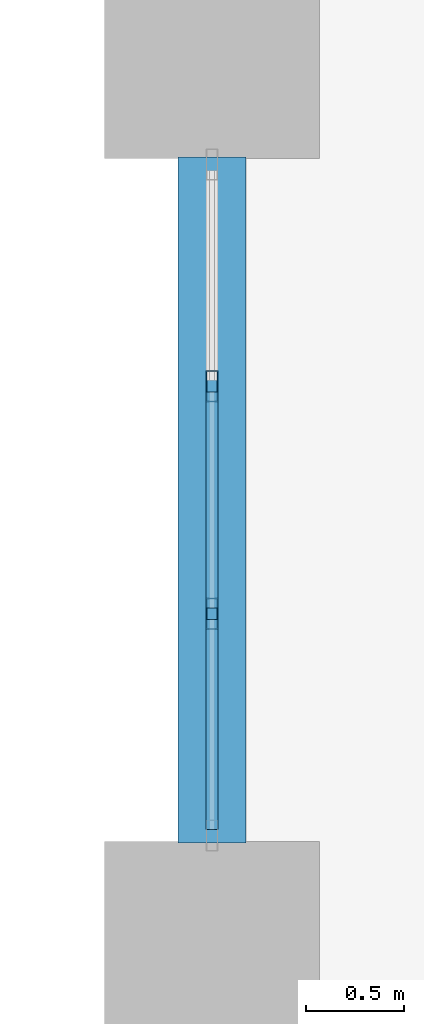
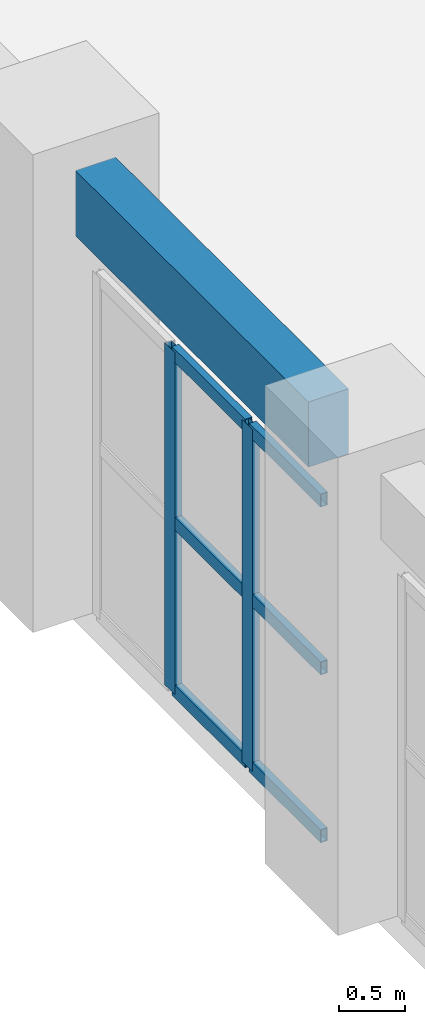
# One storey, part 15 of 90: 8 members, 1 beam, 1 element without a shape of its own.
"""IFC4 building model written with IfcOpenShell, lengths in metres."""

from ifc_helpers import new_model, si_unit, direction, frame, origin, origin_2d, place, context, subcontext, project, spatial, rectangle, hollow_rectangle, extrude, material, layer, layer_set, material_profile, profile_set, type_object, element, aggregate, save


model = new_model("IFC4")

# Units and contexts
model_context = context("Model", 3, precision=1e-05, world=origin(), true_north=direction((0.0, 1.0)))
body_context = subcontext(model_context, "Body", "Model", "MODEL_VIEW")
ifc_project = project(units=[si_unit("LENGTHUNIT", "METRE"), si_unit("AREAUNIT", "SQUARE_METRE"), si_unit("VOLUMEUNIT", "CUBIC_METRE"), si_unit("PLANEANGLEUNIT", "RADIAN"), si_unit("MASSUNIT", "GRAM", prefix="KILO")], contexts=[model_context])

# Site, building, storey
site_placement = place(None, origin())
site = spatial("IfcSite", under=ifc_project, at=site_placement, CompositionType="ELEMENT")
building_placement = place(site_placement, origin())
building = spatial("IfcBuilding", under=site, at=building_placement, Name="Muzn Square Opera House", CompositionType="ELEMENT")
storey_placement = place(building_placement, frame((0.0, 0.0, 9.800048828125)))
storey = spatial("IfcBuildingStorey", under=building, at=storey_placement, Name="L02", CompositionType="ELEMENT", Elevation=9.800048828125)

# Curtain wall, members
ifc_material_1 = material(Name="Low-E laminated acoustic double glazing", Category="glass")
ifc_layer = layer(ifc_material_1, 0.159912109375, Name="Low-E laminated acoustic double glazing", Category="glass")
ifc_layer_set = layer_set([ifc_layer], Name="Low-E laminated acoustic double glazing")
curtain_wall_type = type_object("IfcCurtainWallType", Name="Glazed Curtain Wall WestVaultCourt 3500x3150", PredefinedType="USERDEFINED", material=ifc_layer_set)
curtain_wall_placement = place(storey_placement, origin())
curtain_wall = element("IfcCurtainWall", 1, at=curtain_wall_placement, inside=storey, type_object=curtain_wall_type, Name="Glazed Curtain Wall CW-L02-055", ObjectType="GLAZED CURTAIN WALL", PredefinedType="USERDEFINED")
ifc_material_2 = material(Name="Anodised bronze aluminium 6063-T6", Category="metal")
ifc_material_profile_1 = material_profile(ifc_material_2, hollow_rectangle(XDim=0.06005859375, YDim=0.159912109375, WallThickness=0.00390625, at=origin_2d()), Name="ALU 160x60x4", Category="metal")
ifc_profile_set_1 = profile_set([ifc_material_profile_1], Name="Anodised bronze aluminium 6063-T6")
member_type_1 = type_object("IfcMemberType", Name="Curtain Wall Mullion 160x60", PredefinedType="MULLION", material=ifc_profile_set_1)
member_1_placement = place(storey_placement, frame((43.0, 46.716552734375, 0.0), z_axis=(0.0, 0.0, 1.0), x_axis=(-1.0, 0.0, 0.0)))
member_1 = element("IfcMember", 2, at=member_1_placement, type_object=member_type_1, Name="CW-WVC-35x31 mullion 2", PredefinedType="MULLION", context=body_context, shape_type="SweptSolid", body=[
    extrude(hollow_rectangle(XDim=0.06005859375, YDim=0.159912109375, WallThickness=0.00390625, at=origin_2d()), origin(), (0.0, 0.0, 1.0), 3.14990234375),
])
member_2_placement = place(storey_placement, frame((43.0, 47.88330078125, 0.0), z_axis=(0.0, 0.0, 1.0), x_axis=(-1.0, 0.0, 0.0)))
member_2 = element("IfcMember", 3, at=member_2_placement, type_object=member_type_1, Name="CW-WVC-35x31 mullion 3", PredefinedType="MULLION", context=body_context, shape_type="SweptSolid", body=[
    extrude(hollow_rectangle(XDim=0.06005859375, YDim=0.159912109375, WallThickness=0.00390625, at=origin_2d()), origin(), (0.0, 0.0, 1.0), 3.14990234375),
])
ifc_material_profile_2 = material_profile(ifc_material_2, hollow_rectangle(XDim=0.06005859375, YDim=0.1201171875, WallThickness=0.00390625, at=origin_2d()), Name="ALU 120x60x4", Category="metal")
ifc_profile_set_2 = profile_set([ifc_material_profile_2], Name="Anodised bronze aluminium 6063-T6")
member_type_2 = type_object("IfcMemberType", Name="Curtain Wall Transom 120x60", PredefinedType="USERDEFINED", material=ifc_profile_set_2)
member_3_placement = place(storey_placement, frame((43.0, 45.610107421875, 0.030029296875), z_axis=(0.0, 1.0, 0.0), x_axis=(-1.0, 0.0, 0.0)))
member_3 = element("IfcMember", 4, at=member_3_placement, type_object=member_type_2, Name="CW-WVC-35x31 transom 1.1", ObjectType="TRANSOM", PredefinedType="USERDEFINED", context=body_context, shape_type="SweptSolid", body=[
    extrude(hollow_rectangle(XDim=0.06005859375, YDim=0.1201171875, WallThickness=0.00390625, at=origin_2d()), origin(), (0.0, 0.0, 1.0), 1.07666015625),
])
member_4_placement = place(storey_placement, frame((43.0, 45.610107421875, 1.574951171875), z_axis=(0.0, 1.0, 0.0), x_axis=(-1.0, 0.0, 0.0)))
member_4 = element("IfcMember", 5, at=member_4_placement, type_object=member_type_2, Name="CW-WVC-35x31 transom 1.2", ObjectType="TRANSOM", PredefinedType="USERDEFINED", context=body_context, shape_type="SweptSolid", body=[
    extrude(hollow_rectangle(XDim=0.06005859375, YDim=0.1201171875, WallThickness=0.00390625, at=origin_2d()), origin(), (0.0, 0.0, 1.0), 1.07666015625),
])
member_5_placement = place(storey_placement, frame((43.0, 45.610107421875, 3.119873046875), z_axis=(0.0, 1.0, 0.0), x_axis=(-1.0, 0.0, 0.0)))
member_5 = element("IfcMember", 6, at=member_5_placement, type_object=member_type_2, Name="CW-WVC-35x31 transom 1.3", ObjectType="TRANSOM", PredefinedType="USERDEFINED", context=body_context, shape_type="SweptSolid", body=[
    extrude(hollow_rectangle(XDim=0.06005859375, YDim=0.1201171875, WallThickness=0.00390625, at=origin_2d()), origin(), (0.0, 0.0, 1.0), 1.07666015625),
])
member_6_placement = place(storey_placement, frame((43.0, 46.74658203125, 0.030029296875), z_axis=(0.0, 1.0, 0.0), x_axis=(-1.0, 0.0, 0.0)))
member_6 = element("IfcMember", 7, at=member_6_placement, type_object=member_type_2, Name="CW-WVC-35x31 transom 2.1", ObjectType="TRANSOM", PredefinedType="USERDEFINED", context=body_context, shape_type="SweptSolid", body=[
    extrude(hollow_rectangle(XDim=0.06005859375, YDim=0.1201171875, WallThickness=0.00390625, at=origin_2d()), origin(), (0.0, 0.0, 1.0), 1.106689453125),
])
member_7_placement = place(storey_placement, frame((43.0, 46.74658203125, 1.574951171875), z_axis=(0.0, 1.0, 0.0), x_axis=(-1.0, 0.0, 0.0)))
member_7 = element("IfcMember", 8, at=member_7_placement, type_object=member_type_2, Name="CW-WVC-35x31 transom 2.2", ObjectType="TRANSOM", PredefinedType="USERDEFINED", context=body_context, shape_type="SweptSolid", body=[
    extrude(hollow_rectangle(XDim=0.06005859375, YDim=0.1201171875, WallThickness=0.00390625, at=origin_2d()), origin(), (0.0, 0.0, 1.0), 1.106689453125),
])
member_8_placement = place(storey_placement, frame((43.0, 46.74658203125, 3.119873046875), z_axis=(0.0, 1.0, 0.0), x_axis=(-1.0, 0.0, 0.0)))
member_8 = element("IfcMember", 9, at=member_8_placement, type_object=member_type_2, Name="CW-WVC-35x31 transom 2.3", ObjectType="TRANSOM", PredefinedType="USERDEFINED", context=body_context, shape_type="SweptSolid", body=[
    extrude(hollow_rectangle(XDim=0.06005859375, YDim=0.1201171875, WallThickness=0.00390625, at=origin_2d()), origin(), (0.0, 0.0, 1.0), 1.106689453125),
])
aggregate(curtain_wall, [member_1, member_2, member_3, member_4, member_5, member_6, member_7, member_8])

# Beam
ifc_material_3 = material(Name="Concrete C40/50", Category="concrete")
ifc_material_profile_3 = material_profile(ifc_material_3, rectangle(XDim=0.35009765625, YDim=0.60009765625, at=origin_2d()), Name="RCB 350x600", Category="concrete")
ifc_profile_set_3 = profile_set([ifc_material_profile_3], Name="Concrete C40/50")
beam_type = type_object("IfcBeamType", Name="Primary Girder 350x600", PredefinedType="BEAM", material=ifc_profile_set_3)
beam_placement = place(storey_placement, frame((43.0, 45.5419921875, 3.820068359375), z_axis=(0.0, 1.0, 0.0), x_axis=(-1.0, 0.0, 0.0)))
element("IfcBeam", 10, at=beam_placement, inside=storey, type_object=beam_type, Name="Primary Girder BM-L02-BM-PG600-430_455_430_491-2158", PredefinedType="BEAM", context=body_context, shape_type="SweptSolid", body=[
    extrude(rectangle(XDim=0.35009765625, YDim=0.60009765625, at=origin_2d()), origin(), (0.0, 0.0, 1.0), 3.51611328125),
])

save(model, "model.ifc")
